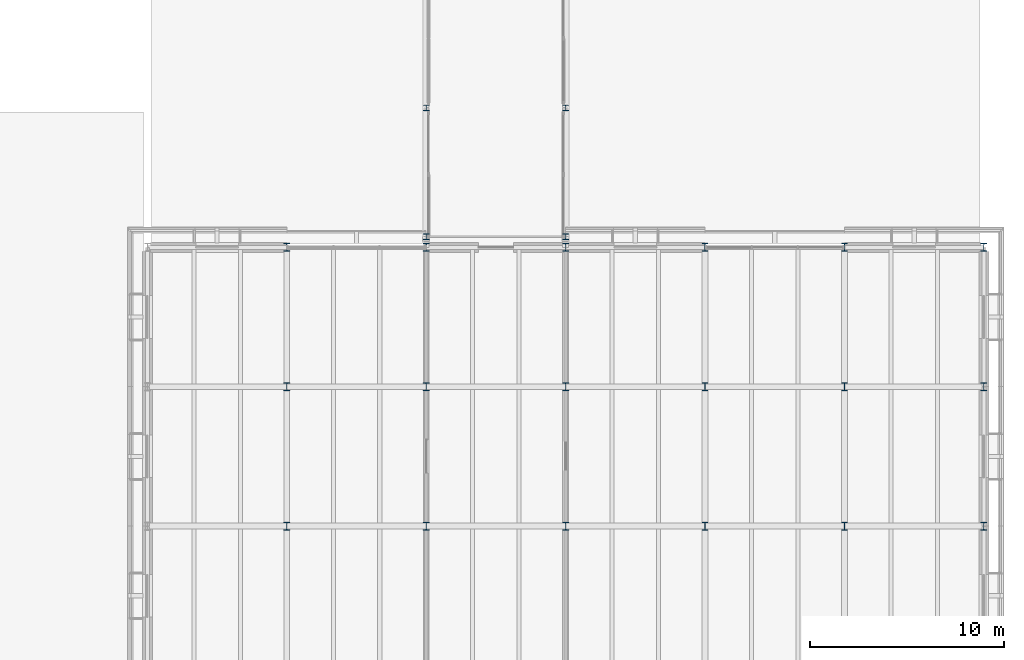
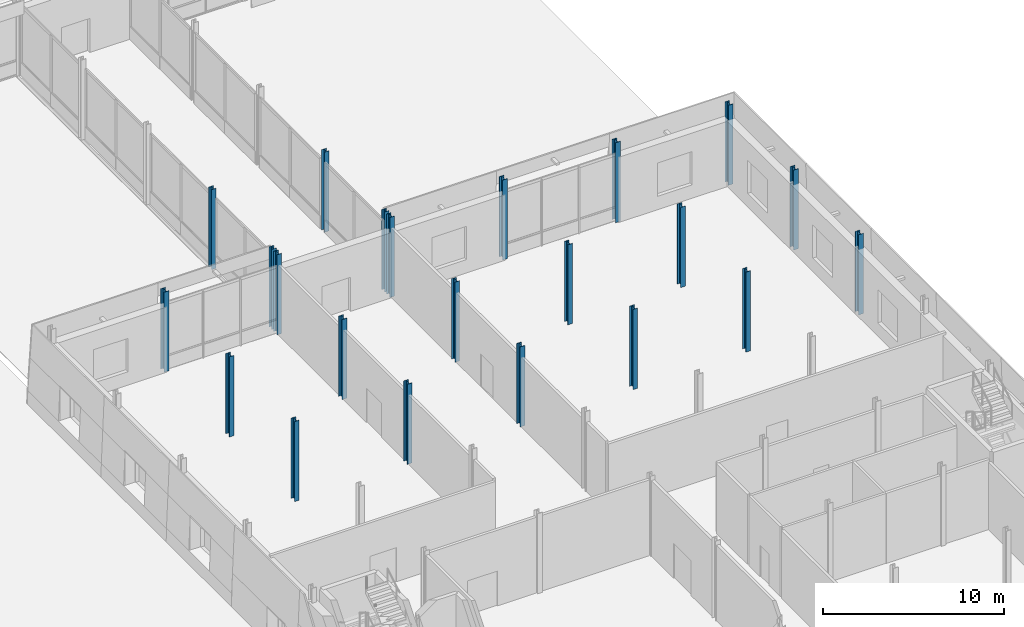
# One storey, part 18 of 120: 22 columns.
"""IFC4 building model written with IfcOpenShell, lengths in metres."""

from ifc_helpers import new_model, si_unit, direction, frame, origin, origin_2d, place, context, subcontext, project, spatial, i_section, extrude, material, material_profile, profile_set, type_object, element, save


model = new_model("IFC4")

# Units and contexts
model_context = context("Model", 3, precision=1e-05, world=origin(), true_north=direction((0.0, 1.0)))
body_context = subcontext(model_context, "Body", "Model", "MODEL_VIEW")
ifc_project = project(units=[si_unit("LENGTHUNIT", "METRE"), si_unit("AREAUNIT", "SQUARE_METRE"), si_unit("VOLUMEUNIT", "CUBIC_METRE"), si_unit("PLANEANGLEUNIT", "RADIAN"), si_unit("MASSUNIT", "GRAM", prefix="KILO")], contexts=[model_context])

# Site, building, storey
site_placement = place(None, origin())
site = spatial("IfcSite", under=ifc_project, at=site_placement, CompositionType="ELEMENT")
building_placement = place(site_placement, origin())
building = spatial("IfcBuilding", under=site, at=building_placement, Name="Narikvali Park Central Library", CompositionType="ELEMENT")
storey_placement = place(building_placement, origin())
storey = spatial("IfcBuildingStorey", under=building, at=storey_placement, Name="L00", CompositionType="ELEMENT", Elevation=0.0)

# Columns
ifc_material = material(Name="Steel S355", Category="steel")
ifc_material_profile_1 = material_profile(ifc_material, i_section(OverallWidth=0.300048828125, OverallDepth=0.300048828125, WebThickness=0.010986328125, FlangeThickness=0.01904296875, FilletRadius=0.027099609375, at=origin_2d()), Name="HEB 300")
ifc_profile_set_1 = profile_set([ifc_material_profile_1], Name="Steel S355")
column_type_1 = type_object("IfcColumnType", Name="Steel Column HEB300", PredefinedType="COLUMN", material=ifc_profile_set_1)
for number, where, z_axis, x_axis, name in (
    (1, (136.800048828125, 50.949951171875, 0.0), (0.0, 0.0, 1.0), (1.0, 0.0, 0.0), "BRG-4 Bridge Pier L00"),
    (2, (144.0, 50.949951171875, 0.0), (0.0, 0.0, 1.0), (1.0, 0.0, 0.0), "BRG-4 Bridge Pier L00"),
    (3, (136.800048828125, 57.60009765625, 0.0), (0.0, 0.0, 1.0), (1.0, 0.0, 0.0), "BRG-4 Bridge Pier L00"),
    (4, (144.0, 57.60009765625, 0.0), (0.0, 0.0, 1.0), (1.0, 0.0, 0.0), "BRG-4 Bridge Pier L00"),
):
    element("IfcColumn", number, at=place(storey_placement, frame(where, z_axis=z_axis, x_axis=x_axis)), inside=storey, type_object=column_type_1, Name=name, PredefinedType="COLUMN", context=body_context, shape_type="SweptSolid", body=[
        extrude(i_section(OverallWidth=0.300048828125, OverallDepth=0.300048828125, WebThickness=0.010986328125, FlangeThickness=0.01904296875, FilletRadius=0.027099609375, at=origin_2d()), origin(), (0.0, 0.0, 1.0), 5.39990234375),
    ])
ifc_material_profile_2 = material_profile(ifc_material, i_section(OverallWidth=0.300048828125, OverallDepth=0.39990234375, WebThickness=0.013427734375, FlangeThickness=0.02392578125, FilletRadius=0.027099609375, at=origin_2d()), Name="HEB 400")
ifc_profile_set_2 = profile_set([ifc_material_profile_2], Name="Steel S355")
column_type_2 = type_object("IfcColumnType", Name="Steel Column HEB400", PredefinedType="COLUMN", material=ifc_profile_set_2)
for number, where, z_axis, x_axis, name in (
    (5, (129.60009765625, 36.0, 0.0), (0.0, 0.0, 1.0), (1.0, 0.0, 0.0), "V6 L00 Column (129.6,36.0)"),
    (6, (129.60009765625, 43.199951171875, 0.0), (0.0, 0.0, 1.0), (1.0, 0.0, 0.0), "V6 L00 Column (129.6,43.2)"),
    (7, (129.60009765625, 50.39990234375, 0.0), (0.0, 0.0, 1.0), (1.0, 0.0, 0.0), "V6 L00 Column (129.6,50.4)"),
    (8, (136.800048828125, 36.0, 0.0), (0.0, 0.0, 1.0), (1.0, 0.0, 0.0), "V6 L00 Column (136.8,36.0)"),
    (9, (136.800048828125, 43.199951171875, 0.0), (0.0, 0.0, 1.0), (1.0, 0.0, 0.0), "V6 L00 Column (136.8,43.2)"),
    (10, (136.800048828125, 50.39990234375, 0.0), (0.0, 0.0, 1.0), (1.0, 0.0, 0.0), "V6 L00 Column (136.8,50.4)"),
    (11, (144.0, 36.0, 0.0), (0.0, 0.0, 1.0), (1.0, 0.0, 0.0), "V6 L00 Column (144.0,36.0)"),
    (12, (144.0, 43.199951171875, 0.0), (0.0, 0.0, 1.0), (1.0, 0.0, 0.0), "V6 L00 Column (144.0,43.2)"),
    (13, (144.0, 50.39990234375, 0.0), (0.0, 0.0, 1.0), (1.0, 0.0, 0.0), "V6 L00 Column (144.0,50.4)"),
    (14, (151.199951171875, 36.0, 0.0), (0.0, 0.0, 1.0), (1.0, 0.0, 0.0), "V6 L00 Column (151.2,36.0)"),
    (15, (151.199951171875, 43.199951171875, 0.0), (0.0, 0.0, 1.0), (1.0, 0.0, 0.0), "V6 L00 Column (151.2,43.2)"),
    (16, (151.199951171875, 50.39990234375, 0.0), (0.0, 0.0, 1.0), (1.0, 0.0, 0.0), "V6 L00 Column (151.2,50.4)"),
    (17, (158.39990234375, 36.0, 0.0), (0.0, 0.0, 1.0), (1.0, 0.0, 0.0), "V6 L00 Column (158.4,36.0)"),
    (18, (158.39990234375, 43.199951171875, 0.0), (0.0, 0.0, 1.0), (1.0, 0.0, 0.0), "V6 L00 Column (158.4,43.2)"),
    (19, (158.39990234375, 50.39990234375, 0.0), (0.0, 0.0, 1.0), (1.0, 0.0, 0.0), "V6 L00 Column (158.4,50.4)"),
    (20, (165.60009765625, 36.0, 0.0), (0.0, 0.0, 1.0), (1.0, 0.0, 0.0), "V6 L00 Column (165.6,36.0)"),
    (21, (165.60009765625, 43.199951171875, 0.0), (0.0, 0.0, 1.0), (1.0, 0.0, 0.0), "V6 L00 Column (165.6,43.2)"),
    (22, (165.60009765625, 50.39990234375, 0.0), (0.0, 0.0, 1.0), (1.0, 0.0, 0.0), "V6 L00 Column (165.6,50.4)"),
):
    element("IfcColumn", number, at=place(storey_placement, frame(where, z_axis=z_axis, x_axis=x_axis)), inside=storey, type_object=column_type_2, Name=name, PredefinedType="COLUMN", context=body_context, shape_type="SweptSolid", body=[
        extrude(i_section(OverallWidth=0.300048828125, OverallDepth=0.39990234375, WebThickness=0.013427734375, FlangeThickness=0.02392578125, FilletRadius=0.027099609375, at=origin_2d()), origin(), (0.0, 0.0, 1.0), 5.39990234375),
    ])

save(model, "model.ifc")
